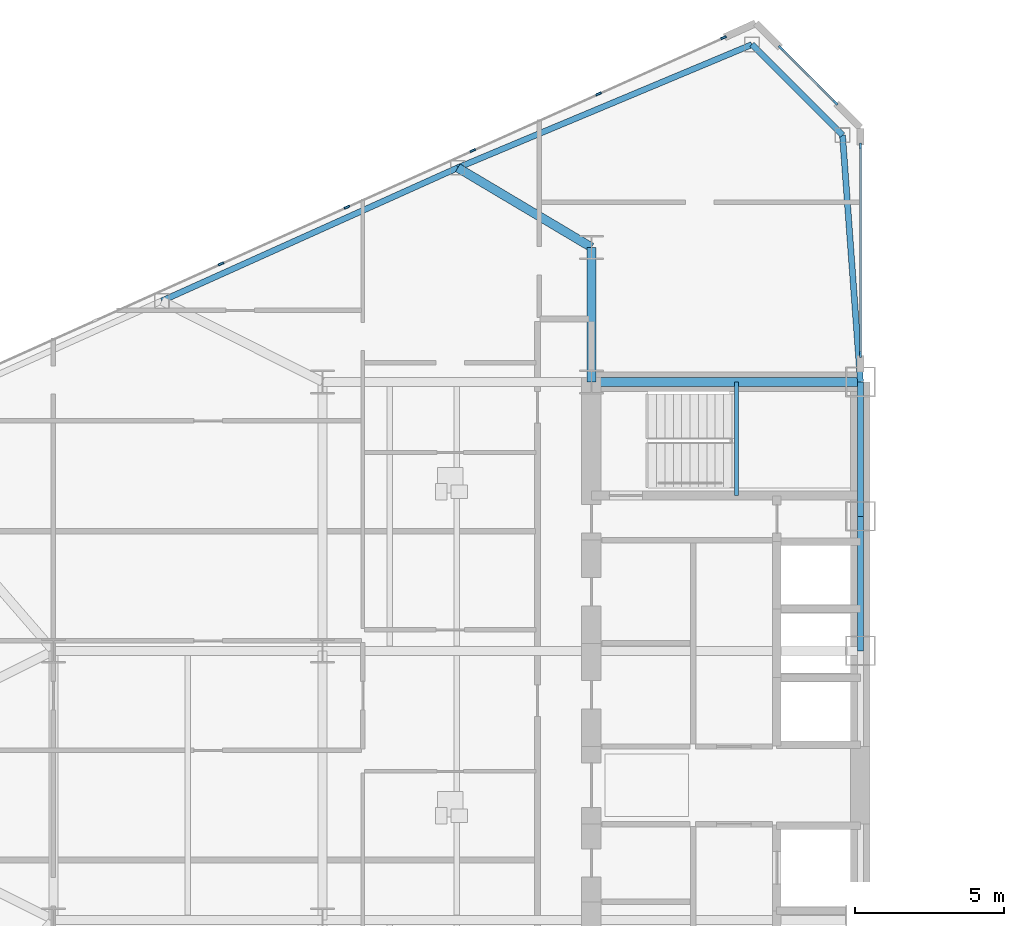
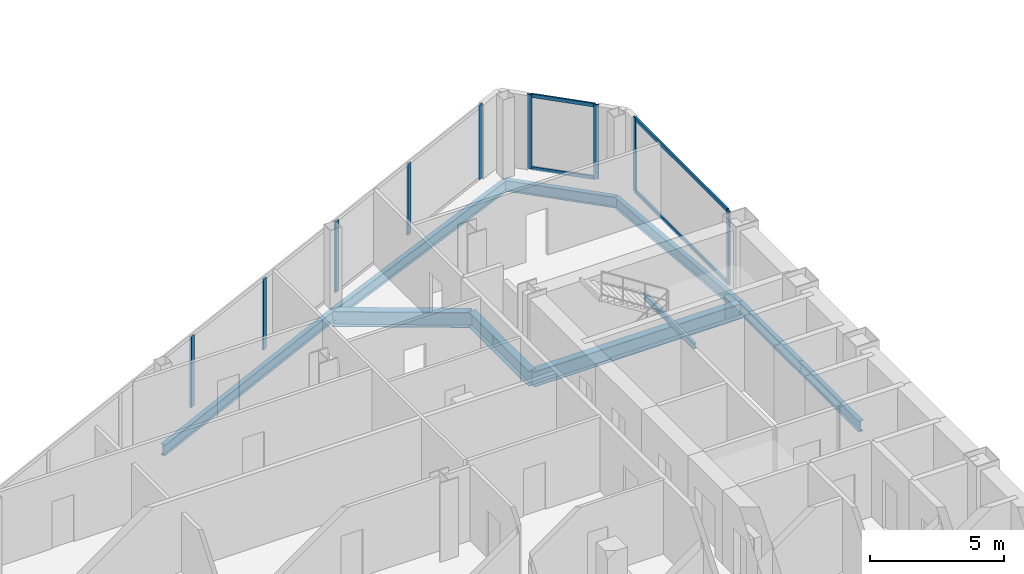
# One storey, part 9 of 27: 13 members, 10 beams, 3 elements without a shape of their own.
"""IFC4 building model written with IfcOpenShell, lengths in metres."""

import ifcopenshell
import ifcopenshell.guid

model = None  # the IFC model being written
_history = None  # IfcOwnerHistory: only IFC2X3 demands one
_inside = {}  # id of a spatial element -> (the spatial element, [elements in it])
_under = {}  # id of a project, library or spatial element -> (it, [spatial elements below it])
_declared = {}  # id of a project -> (the project, [libraries it declares])
_typed = {}  # id of a type object -> (the type object, [elements of that type])
_made_of = {}  # id of a material, layer set ... -> (it, [elements and type objects made of it])


def new_model(schema):
    """Start an empty IFC model of exactly this schema.

    Asked for "IFC4X3", IfcOpenShell would pick the latest addendum, in which some entities
    have other attributes; the version numbers below select the first issue.
    IFC2X3 requires an IfcOwnerHistory on every rooted entity: one is made here for all.
    """
    global model, _history
    if schema == "IFC4X3":
        model = ifcopenshell.file(schema_version=(4, 3, 0, 0))
    else:
        model = ifcopenshell.file(schema=schema)
    _inside.clear()
    _under.clear()
    _declared.clear()
    _typed.clear()
    _made_of.clear()
    _history = None
    if model.schema == "IFC2X3":
        org = make("IfcOrganization", Name="unknown")
        user = make(
            "IfcPersonAndOrganization",
            ThePerson=make("IfcPerson", FamilyName="unknown"),
            TheOrganization=org,
        )
        app = make(
            "IfcApplication",
            ApplicationDeveloper=org,
            Version="unknown",
            ApplicationFullName="unknown",
            ApplicationIdentifier="unknown",
        )
        _history = make(
            "IfcOwnerHistory",
            OwningUser=user,
            OwningApplication=app,
            ChangeAction="ADDED",
            CreationDate=0,
        )
    return model


def make(cls, **values):
    """One entity of the class cls with the attributes given. An attribute that is None is left unset."""
    return model.create_entity(
        cls, **{name: value for name, value in values.items() if value is not None}
    )


def rooted(cls, **values):
    """An entity with a GlobalId (a new one), such as an element, a storey or a relation."""
    return make(cls, GlobalId=ifcopenshell.guid.new(), OwnerHistory=_history, **values)


def si_unit(unit_type, name, prefix=None):
    """IfcSIUnit, for example si_unit("LENGTHUNIT", "METRE", prefix="MILLI")."""
    return make("IfcSIUnit", UnitType=unit_type, Prefix=prefix, Name=name)


def assignment(units):
    """IfcUnitAssignment: the units of a project."""
    return None if units is None else make("IfcUnitAssignment", Units=units)


def point(xyz):
    """IfcCartesianPoint."""
    return None if xyz is None else make("IfcCartesianPoint", Coordinates=xyz)


def direction(xyz):
    """IfcDirection."""
    return None if xyz is None else make("IfcDirection", DirectionRatios=xyz)


def frame(location, z_axis=None, x_axis=None):
    """IfcAxis2Placement3D, a coordinate frame: its origin and axes. An axis left out is left unset."""
    return make(
        "IfcAxis2Placement3D",
        Location=point(location),
        Axis=direction(z_axis),
        RefDirection=direction(x_axis),
    )


def frame_2d(location, x_axis=None):
    """IfcAxis2Placement2D, a coordinate frame in the plane: its origin and x axis."""
    return make(
        "IfcAxis2Placement2D", Location=point(location), RefDirection=direction(x_axis)
    )


def origin():
    """The frame at (0, 0, 0) with its axes left unset."""
    return frame((0.0, 0.0, 0.0))


def origin_2d():
    """The frame at (0, 0) in the plane with its x axis left unset."""
    return frame_2d((0.0, 0.0))


def place(relative_to, where):
    """IfcLocalPlacement: puts the frame where relative to a parent placement (None: the world)."""
    return make(
        "IfcLocalPlacement", PlacementRelTo=relative_to, RelativePlacement=where
    )


def context(
    kind, dimensions, precision=None, world=None, true_north=None, identifier=None
):
    """IfcGeometricRepresentationContext, for example the 3D "Model" context."""
    return make(
        "IfcGeometricRepresentationContext",
        ContextIdentifier=identifier,
        ContextType=kind,
        CoordinateSpaceDimension=dimensions,
        Precision=precision,
        WorldCoordinateSystem=world,
        TrueNorth=true_north,
    )


def subcontext(parent, identifier, kind, view, scale=None):
    """IfcGeometricRepresentationSubContext, for example "Body" below "Model"."""
    return make(
        "IfcGeometricRepresentationSubContext",
        ContextIdentifier=identifier,
        ContextType=kind,
        ParentContext=parent,
        TargetScale=scale,
        TargetView=view,
    )


def project(units=None, contexts=None):
    """IfcProject with its units and contexts."""
    return rooted(
        "IfcProject",
        Name="project",
        RepresentationContexts=contexts,
        UnitsInContext=assignment(units),
    )


def spatial(cls, under=None, at=None, **own):
    """A site, building, storey or space (cls), placed at a placement, below another one or the project."""
    s = rooted(cls, ObjectPlacement=at, **own)
    if under is not None:
        _under.setdefault(under.id(), (under, []))[1].append(s)
    return s


def profile(cls, at=None, kind="AREA", **sizes):
    """A parametric profile (cls). Its sizes go by their IFC names, for example OverallWidth=200.0."""
    return make(cls, ProfileType=kind, Position=at, **sizes)


def rectangle(**sizes):
    """IfcRectangleProfileDef."""
    return profile("IfcRectangleProfileDef", **sizes)


def i_section(**sizes):
    """IfcIShapeProfileDef."""
    return profile("IfcIShapeProfileDef", **sizes)


def extrude(swept, where, along, depth):
    """IfcExtrudedAreaSolid: the profile swept, set in the frame where, extruded along a direction by depth."""
    return make(
        "IfcExtrudedAreaSolid",
        SweptArea=swept,
        Position=where,
        ExtrudedDirection=direction(along),
        Depth=depth,
    )


def shape(context_of_items, identifier, shape_type, items):
    """IfcShapeRepresentation: the items that make up one representation, for example the "Body"."""
    return make(
        "IfcShapeRepresentation",
        ContextOfItems=context_of_items,
        RepresentationIdentifier=identifier,
        RepresentationType=shape_type,
        Items=items,
    )


def source(mapping_origin, context_of_items, identifier, shape_type, items):
    """IfcRepresentationMap: a shape defined once, which mapped items show again and again."""
    return make(
        "IfcRepresentationMap",
        MappingOrigin=mapping_origin,
        MappedRepresentation=shape(context_of_items, identifier, shape_type, items),
    )


def transform(
    local_origin,
    x_axis=None,
    y_axis=None,
    z_axis=None,
    scale=None,
    scale2=None,
    scale3=None,
    uniform=True,
):
    """IfcCartesianTransformationOperator3D, or its non-uniform kind. x_axis, y_axis, z_axis: its Axis1, 2, 3."""
    if uniform:
        return make(
            "IfcCartesianTransformationOperator3D",
            Axis1=direction(x_axis),
            Axis2=direction(y_axis),
            LocalOrigin=point(local_origin),
            Scale=scale,
            Axis3=direction(z_axis),
        )
    return make(
        "IfcCartesianTransformationOperator3DnonUniform",
        Axis1=direction(x_axis),
        Axis2=direction(y_axis),
        LocalOrigin=point(local_origin),
        Scale=scale,
        Axis3=direction(z_axis),
        Scale2=scale2,
        Scale3=scale3,
    )


def mapped(mapping_source, mapping_target):
    """IfcMappedItem: shows the shape of a source again, moved by a transform."""
    return make(
        "IfcMappedItem", MappingSource=mapping_source, MappingTarget=mapping_target
    )


def material(Name=None, Category=None):
    """IfcMaterial."""
    return make("IfcMaterial", Name=Name, Category=Category)


def layer(
    of_material, thickness, ventilated=None, Name=None, Category=None, Priority=None
):
    """IfcMaterialLayer: one layer of a wall or slab, of a material (None: an air gap)."""
    return make(
        "IfcMaterialLayer",
        Material=of_material,
        LayerThickness=thickness,
        IsVentilated=ventilated,
        Name=Name,
        Category=Category,
        Priority=Priority,
    )


def layer_set(layers, Name=None):
    """IfcMaterialLayerSet."""
    return make("IfcMaterialLayerSet", MaterialLayers=layers, LayerSetName=Name)


def material_profile(
    of_material, cross_section, Name=None, Category=None, Priority=None
):
    """IfcMaterialProfile: a cross section and its material."""
    return make(
        "IfcMaterialProfile",
        Name=Name,
        Material=of_material,
        Profile=cross_section,
        Priority=Priority,
        Category=Category,
    )


def profile_set(profiles, Name=None, composite=None):
    """IfcMaterialProfileSet."""
    return make(
        "IfcMaterialProfileSet",
        Name=Name,
        MaterialProfiles=profiles,
        CompositeProfile=composite,
    )


def made_of(thing, what):
    """Note that an element or type object is made of a material, layer set ...; save() writes the relation."""
    if what is not None:
        _made_of.setdefault(what.id(), (what, []))[1].append(thing)
    return thing


def type_object(cls, material=None, **own):
    """A type object (cls), such as IfcWallType, which elements share."""
    return made_of(rooted(cls, **own), material)


def type_shapes(of_type, sources):
    """Give a type object the sources (RepresentationMaps) that its elements show as mapped items."""
    of_type.RepresentationMaps = sources


def element(
    cls,
    number,
    at=None,
    inside=None,
    cuts=None,
    type_object=None,
    material=None,
    context=None,
    identifier="Body",
    shape_type=None,
    held_by="IfcProductDefinitionShape",
    body=None,
    shapes=None,
    **own,
):
    """One element of the class cls, such as IfcWall. Its Tag is "e" and its number.

    at: its placement. inside: the storey or other place that contains it. cuts: it is an
    opening in that element (IfcRelVoidsElement). A single representation is given by context,
    identifier, shape_type and body (its items); several are given by shapes. held_by: the class
    of the entity that holds the representations. save() writes the other relations.
    """
    e = rooted(cls, Tag="e%d" % number, ObjectPlacement=at, **own)
    if body is not None:
        shapes = [shape(context, identifier, shape_type, body)]
    if shapes is not None:
        e.Representation = make(held_by, Representations=shapes)
    if inside is not None:
        _inside.setdefault(inside.id(), (inside, []))[1].append(e)
    if cuts is not None:
        rooted(
            "IfcRelVoidsElement", RelatingBuildingElement=cuts, RelatedOpeningElement=e
        )
    if type_object is not None:
        _typed.setdefault(type_object.id(), (type_object, []))[1].append(e)
    return made_of(e, material)


def aggregate(whole, parts):
    """IfcRelAggregates: a whole, such as a stair, and the parts it consists of."""
    return rooted("IfcRelAggregates", RelatingObject=whole, RelatedObjects=parts)


def save(model, path):
    """Write the relations noted so far, then the file.

    IfcRelAggregates (storeys below a building ...), IfcRelContainedInSpatialStructure (elements
    in a storey), IfcRelDefinesByType, IfcRelAssociatesMaterial and IfcRelDeclares: one each for
    every whole, place, type object, material and project.
    """
    for whole, parts in _under.values():
        aggregate(whole, parts)
    for where, things in _inside.values():
        rooted(
            "IfcRelContainedInSpatialStructure",
            RelatedElements=things,
            RelatingStructure=where,
        )
    for kind, things in _typed.values():
        rooted("IfcRelDefinesByType", RelatedObjects=things, RelatingType=kind)
    for what, things in _made_of.values():
        rooted("IfcRelAssociatesMaterial", RelatedObjects=things, RelatingMaterial=what)
    for by, libraries in _declared.values():
        rooted("IfcRelDeclares", RelatingContext=by, RelatedDefinitions=libraries)
    model.write(path)


model = new_model("IFC4")

# Units and contexts
model_context = context("Model", 3, precision=1e-05, world=origin(), true_north=direction((0.0, 1.0)))
body_context = subcontext(model_context, "Body", "Model", "MODEL_VIEW")
ifc_project = project(units=[si_unit("LENGTHUNIT", "METRE"), si_unit("AREAUNIT", "SQUARE_METRE"), si_unit("VOLUMEUNIT", "CUBIC_METRE"), si_unit("PLANEANGLEUNIT", "RADIAN"), si_unit("MASSUNIT", "GRAM", prefix="KILO")], contexts=[model_context])

# Site, building, storey
site_placement = place(None, origin())
site = spatial("IfcSite", under=ifc_project, at=site_placement, CompositionType="ELEMENT")
building_placement = place(site_placement, origin())
building = spatial("IfcBuilding", under=site, at=building_placement, Name="Seokmaru Belvedere", CompositionType="ELEMENT")
storey_placement = place(building_placement, frame((0.0, 0.0, 96.0)))
storey = spatial("IfcBuildingStorey", under=building, at=storey_placement, Name="L25", CompositionType="ELEMENT", Elevation=96.0)

# Beams
ifc_material_1 = material(Name="Steel SM355 (355 MPa)", Category="steel")
ifc_material_profile_1 = material_profile(ifc_material_1, i_section(OverallWidth=0.199951171875, OverallDepth=0.5, WebThickness=0.010009765625, FlangeThickness=0.01611328125, at=origin_2d()), Name="H-500x200x10x16")
ifc_profile_set_1 = profile_set([ifc_material_profile_1], Name="Steel SM355 (355 MPa)")
beam_type_1 = type_object("IfcBeamType", Name="Perimeter Spandrel Beam H-500", PredefinedType="SPANDREL", material=ifc_profile_set_1)
shared_shape_1 = source(origin(), body_context, "Body", "SweptSolid", [
    extrude(i_section(OverallWidth=0.199951171875, OverallDepth=0.5, WebThickness=0.010009765625, FlangeThickness=0.01611328125, at=origin_2d()), origin(), (0.0, 0.0, 1.0), 4.5),
])
for number, where, z_axis, x_axis, name in (
    (1, (-27.5, 4.5, -0.469970703125), (0.0, 1.0, 0.0), (-1.0, 0.0, 0.0), "L25 W Portal Spine Spandrel 4"),
    (2, (-27.5, 9.0, -0.469970703125), (0.0, 1.0, 0.0), (-1.0, 0.0, 0.0), "L25 W Portal Spine Spandrel 5"),
):
    element("IfcBeam", number, at=place(storey_placement, frame(where, z_axis=z_axis, x_axis=x_axis)), inside=storey, type_object=beam_type_1, Name=name, PredefinedType="SPANDREL", context=body_context, shape_type="MappedRepresentation", body=[
        mapped(shared_shape_1, transform((0.0, 0.0, 0.0), scale=1.0)),
    ])
ifc_material_profile_2 = material_profile(ifc_material_1, i_section(OverallWidth=0.300048828125, OverallDepth=0.699951171875, WebThickness=0.012939453125, FlangeThickness=0.02392578125, at=origin_2d()), Name="H-700x300x13x24")
ifc_profile_set_2 = profile_set([ifc_material_profile_2], Name="Steel SM355 (355 MPa)")
beam_type_2 = type_object("IfcBeamType", Name="Primary Floor Girder H-700", PredefinedType="BEAM", material=ifc_profile_set_2)
shared_shape_2 = source(origin(), body_context, "Body", "SweptSolid", [
    extrude(i_section(OverallWidth=0.300048828125, OverallDepth=0.699951171875, WebThickness=0.012939453125, FlangeThickness=0.02392578125, at=origin_2d()), origin(), (0.0, 0.0, 1.0), 4.5),
])
beam_1_placement = place(storey_placement, frame((-36.5, 13.5, -0.570068359375), z_axis=(0.0, 1.0, 0.0), x_axis=(-1.0, 0.0, 0.0)))
element("IfcBeam", 3, at=beam_1_placement, inside=storey, type_object=beam_type_2, Name="L25 W Core Shoulder Girder N", PredefinedType="BEAM", context=body_context, shape_type="MappedRepresentation", body=[
    mapped(shared_shape_2, transform((0.0, 0.0, 0.0), scale=1.0)),
])
shared_shape_3 = source(origin(), body_context, "Body", "SweptSolid", [
    extrude(i_section(OverallWidth=0.300048828125, OverallDepth=0.699951171875, WebThickness=0.012939453125, FlangeThickness=0.02392578125, at=origin_2d()), origin(), (0.0, 0.0, 1.0), 9.0),
])
beam_2_placement = place(storey_placement, frame((-36.5, 13.5, -0.570068359375), z_axis=(1.0, 0.0, 0.0), x_axis=(0.0, 1.0, 0.0)))
element("IfcBeam", 4, at=beam_2_placement, inside=storey, type_object=beam_type_2, Name="L25 W Core Tie Girder 4", PredefinedType="BEAM", context=body_context, shape_type="MappedRepresentation", body=[
    mapped(shared_shape_3, transform((0.0, 0.0, 0.0), scale=1.0)),
])
shared_shape_4 = source(origin(), body_context, "Body", "SweptSolid", [
    extrude(i_section(OverallWidth=0.199951171875, OverallDepth=0.5, WebThickness=0.010009765625, FlangeThickness=0.01611328125, at=origin_2d()), origin(), (0.0, 0.0, 1.0), 10.66943359375),
])
beam_3_placement = place(storey_placement, frame((-31.13134765625, 24.782958984375, -0.469970703125), z_axis=(-0.922375393128, -0.386294750355, 0.0), x_axis=(0.386294750355, -0.922375393128, 0.0)))
element("IfcBeam", 5, at=beam_3_placement, inside=storey, type_object=beam_type_1, Name="L25 W Faceted Flank Spandrel N-1", PredefinedType="SPANDREL", context=body_context, shape_type="MappedRepresentation", body=[
    mapped(shared_shape_4, transform((0.0, 0.0, 0.0), scale=1.0)),
])
shared_shape_5 = source(origin(), body_context, "Body", "SweptSolid", [
    extrude(i_section(OverallWidth=0.199951171875, OverallDepth=0.5, WebThickness=0.010009765625, FlangeThickness=0.01611328125, at=origin_2d()), origin(), (0.0, 0.0, 1.0), 10.85888671875),
])
beam_4_placement = place(storey_placement, frame((-40.97265625, 20.661376953125, -0.469970703125), z_axis=(-0.911921505175, -0.410364677329, 0.0), x_axis=(0.410364677329, -0.911921505175, 0.0)))
element("IfcBeam", 6, at=beam_4_placement, inside=storey, type_object=beam_type_1, Name="L25 W Faceted Flank Spandrel N-2", PredefinedType="SPANDREL", context=body_context, shape_type="MappedRepresentation", body=[
    mapped(shared_shape_5, transform((0.0, 0.0, 0.0), scale=1.0)),
])
shared_shape_6 = source(origin(), body_context, "Body", "SweptSolid", [
    extrude(i_section(OverallWidth=0.199951171875, OverallDepth=0.5, WebThickness=0.010009765625, FlangeThickness=0.01611328125, at=origin_2d()), origin(), (0.0, 0.0, 1.0), 4.287109375),
])
beam_5_placement = place(storey_placement, frame((-31.13134765625, 24.782958984375, -0.469970703125), z_axis=(0.707078306132, -0.707135255094, 0.0), x_axis=(0.707135255094, 0.707078306132, 0.0)))
element("IfcBeam", 7, at=beam_5_placement, inside=storey, type_object=beam_type_1, Name="L25 W Shoulder Chamfer Spandrel N", PredefinedType="SPANDREL", context=body_context, shape_type="MappedRepresentation", body=[
    mapped(shared_shape_6, transform((0.0, 0.0, 0.0), scale=1.0)),
])
shared_shape_7 = source(origin(), body_context, "Body", "SweptSolid", [
    extrude(i_section(OverallWidth=0.199951171875, OverallDepth=0.5, WebThickness=0.010009765625, FlangeThickness=0.01611328125, at=origin_2d()), origin(), (0.0, 0.0, 1.0), 8.273193359375),
])
type_shapes(beam_type_1, [shared_shape_1, shared_shape_4, shared_shape_5, shared_shape_6, shared_shape_7])
beam_6_placement = place(storey_placement, frame((-28.10009765625, 21.75146484375, -0.469970703125), z_axis=(0.072534628348, -0.99736589459, 0.0), x_axis=(0.99736589459, 0.072534628348, 0.0)))
element("IfcBeam", 8, at=beam_6_placement, inside=storey, type_object=beam_type_1, Name="L25 W Shoulder Spine Spandrel N", PredefinedType="SPANDREL", context=body_context, shape_type="MappedRepresentation", body=[
    mapped(shared_shape_7, transform((0.0, 0.0, 0.0), scale=1.0)),
])
shared_shape_8 = source(origin(), body_context, "Body", "SweptSolid", [
    extrude(i_section(OverallWidth=0.300048828125, OverallDepth=0.699951171875, WebThickness=0.012939453125, FlangeThickness=0.02392578125, at=origin_2d()), origin(), (0.0, 0.0, 1.0), 5.20458984375),
])
type_shapes(beam_type_2, [shared_shape_2, shared_shape_3, shared_shape_8])
beam_7_placement = place(storey_placement, frame((-40.97265625, 20.661376953125, -0.570068359375), z_axis=(0.859370434188, -0.511353553662, 0.0), x_axis=(0.511353553662, 0.859370434188, 0.0)))
element("IfcBeam", 9, at=beam_7_placement, inside=storey, type_object=beam_type_2, Name="L25 W Flank Radial Floor Girder N-1", PredefinedType="BEAM", context=body_context, shape_type="MappedRepresentation", body=[
    mapped(shared_shape_8, transform((0.0, 0.0, 0.0), scale=1.0)),
])

# Curtain wall, members
ifc_material_2 = material(Name="Bronze Triple Insulating Glass", Category="glass")
ifc_layer = layer(ifc_material_2, 0.195068359375)
ifc_layer_set = layer_set([ifc_layer], Name="Bronze Triple Insulating Glass")
curtain_wall_type = type_object("IfcCurtainWallType", Name="Lower-Mid Tapered Curtain Wall System CW-3", PredefinedType="NOTDEFINED", material=ifc_layer_set)
curtain_wall_1_placement = place(storey_placement, origin())
curtain_wall_1 = element("IfcCurtainWall", 10, at=curtain_wall_1_placement, inside=storey, type_object=curtain_wall_type, Name="L25 Curtain Wall WSP_2", PredefinedType="NOTDEFINED")
ifc_material_3 = material(Name="Anodised Bronze Aluminium", Category="aluminium")
ifc_material_profile_3 = material_profile(ifc_material_3, rectangle(XDim=0.070068359375, YDim=0.195068359375, at=origin_2d()), Name="CW-M-70x195")
ifc_profile_set_3 = profile_set([ifc_material_profile_3], Name="Anodised Bronze Aluminium")
member_type_1 = type_object("IfcMemberType", Name="Bronze Unitised Mullion 70x195", PredefinedType="MULLION", material=ifc_profile_set_3)
shared_shape_9 = source(origin(), body_context, "Body", "SweptSolid", [
    extrude(rectangle(XDim=0.070068359375, YDim=0.195068359375, at=origin_2d()), origin(), (0.0, 0.0, 1.0), 3.3798828125),
])
member_1_placement = place(storey_placement, frame((-27.5, 14.4150390625, 0.0), z_axis=(0.0, 0.0, 1.0), x_axis=(-1.0, 0.0, 0.0)))
member_1 = element("IfcMember", 11, at=member_1_placement, type_object=member_type_1, Name="CW:L25:WSP_2 Mullion 1", PredefinedType="MULLION", context=body_context, shape_type="MappedRepresentation", body=[
    mapped(shared_shape_9, transform((0.0, 0.0, 0.0), scale=1.0)),
])
member_2_placement = place(storey_placement, frame((-27.5, 21.39501953125, 0.0), z_axis=(0.0, 0.0, 1.0), x_axis=(-1.0, 0.0, 0.0)))
member_2 = element("IfcMember", 12, at=member_2_placement, type_object=member_type_1, Name="CW:L25:WSP_2 Mullion 2", PredefinedType="MULLION", context=body_context, shape_type="MappedRepresentation", body=[
    mapped(shared_shape_9, transform((0.0, 0.0, 0.0), scale=1.0)),
])

curtain_wall_2_placement = place(storey_placement, origin())
curtain_wall_2 = element("IfcCurtainWall", 13, at=curtain_wall_2_placement, inside=storey, type_object=curtain_wall_type, Name="L25 Curtain Wall WF2", PredefinedType="NOTDEFINED")
member_3_placement = place(storey_placement, frame((-28.337890625, 22.837890625, 0.0), z_axis=(0.0, 0.0, 1.0), x_axis=(-0.707106781187, -0.707106781187, 0.0)))
member_3 = element("IfcMember", 14, at=member_3_placement, type_object=member_type_1, Name="CW:L25:WF2 Mullion 1", PredefinedType="MULLION", context=body_context, shape_type="MappedRepresentation", body=[
    mapped(shared_shape_9, transform((0.0, 0.0, 0.0), scale=1.0)),
])
member_4_placement = place(storey_placement, frame((-30.162109375, 24.662109375, 0.0), z_axis=(0.0, 0.0, 1.0), x_axis=(-0.707106781187, -0.707106781187, 0.0)))
member_4 = element("IfcMember", 15, at=member_4_placement, type_object=member_type_1, Name="CW:L25:WF2 Mullion 2", PredefinedType="MULLION", context=body_context, shape_type="MappedRepresentation", body=[
    mapped(shared_shape_9, transform((0.0, 0.0, 0.0), scale=1.0)),
])

# Curtain wall, member
curtain_wall_3_placement = place(storey_placement, origin())
curtain_wall_3 = element("IfcCurtainWall", 16, at=curtain_wall_3_placement, inside=storey, type_object=curtain_wall_type, Name="L25 Curtain Wall WF3", PredefinedType="NOTDEFINED")
member_5_placement = place(storey_placement, frame((-32.08056640625, 25.013671875, 0.0), z_axis=(0.0, 0.0, 1.0), x_axis=(0.41036554765, -0.91192111353, 0.0)))
member_5 = element("IfcMember", 17, at=member_5_placement, type_object=member_type_1, Name="CW:L25:WF3 Mullion 1", PredefinedType="MULLION", context=body_context, shape_type="MappedRepresentation", body=[
    mapped(shared_shape_9, transform((0.0, 0.0, 0.0), scale=1.0)),
])

# Member
ifc_material_profile_4 = material_profile(ifc_material_3, rectangle(XDim=0.070068359375, YDim=0.1650390625, at=origin_2d()), Name="CW-T-70x165")
ifc_profile_set_4 = profile_set([ifc_material_profile_4], Name="Anodised Bronze Aluminium")
member_type_2 = type_object("IfcMemberType", Name="Bronze Unitised Transom 70x165", PredefinedType="USERDEFINED", material=ifc_profile_set_4)
shared_shape_10 = source(origin(), body_context, "Body", "SweptSolid", [
    extrude(rectangle(XDim=0.070068359375, YDim=0.1650390625, at=origin_2d()), origin(), (0.0, 0.0, 1.0), 6.91015625),
])
member_6_placement = place(storey_placement, frame((-27.5, 14.449951171875, 0.034912109375), z_axis=(0.0, 1.0, 0.0), x_axis=(-1.0, 0.0, 0.0)))
member_6 = element("IfcMember", 18, at=member_6_placement, type_object=member_type_2, Name="CW:L25:WSP_2 Continuous Transom 1", ObjectType="TRANSOM", PredefinedType="USERDEFINED", context=body_context, shape_type="MappedRepresentation", body=[
    mapped(shared_shape_10, transform((0.0, 0.0, 0.0), scale=1.0)),
])

member_7_placement = place(storey_placement, frame((-27.5, 14.449951171875, 3.344970703125), z_axis=(0.0, 1.0, 0.0), x_axis=(-1.0, 0.0, 0.0)))
member_7 = element("IfcMember", 19, at=member_7_placement, type_object=member_type_2, Name="CW:L25:WSP_2 Continuous Transom 2", ObjectType="TRANSOM", PredefinedType="USERDEFINED", context=body_context, shape_type="MappedRepresentation", body=[
    mapped(shared_shape_10, transform((0.0, 0.0, 0.0), scale=1.0)),
])

aggregate(curtain_wall_1, [member_1, member_2, member_6, member_7])

shared_shape_11 = source(origin(), body_context, "Body", "SweptSolid", [
    extrude(rectangle(XDim=0.070068359375, YDim=0.1650390625, at=origin_2d()), origin(), (0.0, 0.0, 1.0), 2.509521484375),
])
type_shapes(member_type_2, [shared_shape_10, shared_shape_11])
member_8_placement = place(storey_placement, frame((-28.36279296875, 22.86279296875, 0.034912109375), z_axis=(-0.707106781187, 0.707106781187, 0.0), x_axis=(-0.707106781187, -0.707106781187, 0.0)))
member_8 = element("IfcMember", 20, at=member_8_placement, type_object=member_type_2, Name="CW:L25:WF2 Continuous Transom 1", ObjectType="TRANSOM", PredefinedType="USERDEFINED", context=body_context, shape_type="MappedRepresentation", body=[
    mapped(shared_shape_11, transform((0.0, 0.0, 0.0), scale=1.0)),
])

member_9_placement = place(storey_placement, frame((-28.36279296875, 22.86279296875, 3.344970703125), z_axis=(-0.707106781187, 0.707106781187, 0.0), x_axis=(-0.707106781187, -0.707106781187, 0.0)))
member_9 = element("IfcMember", 21, at=member_9_placement, type_object=member_type_2, Name="CW:L25:WF2 Continuous Transom 2", ObjectType="TRANSOM", PredefinedType="USERDEFINED", context=body_context, shape_type="MappedRepresentation", body=[
    mapped(shared_shape_11, transform((0.0, 0.0, 0.0), scale=1.0)),
])

aggregate(curtain_wall_2, [member_3, member_4, member_8, member_9])

shared_shape_12 = source(origin(), body_context, "Body", "SweptSolid", [
    extrude(rectangle(XDim=0.070068359375, YDim=0.195068359375, at=origin_2d()), origin(), (0.0, 0.0, 1.0), 3.239990234375),
])
type_shapes(member_type_1, [shared_shape_9, shared_shape_12])
member_10_placement = place(storey_placement, frame((-36.260009765625, 23.133056640625, 0.070068359375), z_axis=(0.0, 0.0, 1.0), x_axis=(0.41036554765, -0.91192111353, 0.0)))
member_10 = element("IfcMember", 22, at=member_10_placement, type_object=member_type_1, Name="CW:L25:WF3 Mullion 2", PredefinedType="MULLION", context=body_context, shape_type="MappedRepresentation", body=[
    mapped(shared_shape_12, transform((0.0, 0.0, 0.0), scale=1.0)),
])

member_11_placement = place(storey_placement, frame((-40.471435546875, 21.23779296875, 0.070068359375), z_axis=(0.0, 0.0, 1.0), x_axis=(0.41036554765, -0.91192111353, 0.0)))
member_11 = element("IfcMember", 23, at=member_11_placement, type_object=member_type_1, Name="CW:L25:WF3 Mullion 3", PredefinedType="MULLION", context=body_context, shape_type="MappedRepresentation", body=[
    mapped(shared_shape_12, transform((0.0, 0.0, 0.0), scale=1.0)),
])

member_12_placement = place(storey_placement, frame((-44.682861328125, 19.3427734375, 0.070068359375), z_axis=(0.0, 0.0, 1.0), x_axis=(0.41036554765, -0.91192111353, 0.0)))
member_12 = element("IfcMember", 24, at=member_12_placement, type_object=member_type_1, Name="CW:L25:WF3 Mullion 4", PredefinedType="MULLION", context=body_context, shape_type="MappedRepresentation", body=[
    mapped(shared_shape_12, transform((0.0, 0.0, 0.0), scale=1.0)),
])

member_13_placement = place(storey_placement, frame((-48.894287109375, 17.447509765625, 0.070068359375), z_axis=(0.0, 0.0, 1.0), x_axis=(0.41036554765, -0.91192111353, 0.0)))
member_13 = element("IfcMember", 25, at=member_13_placement, type_object=member_type_1, Name="CW:L25:WF3 Mullion 5", PredefinedType="MULLION", context=body_context, shape_type="MappedRepresentation", body=[
    mapped(shared_shape_12, transform((0.0, 0.0, 0.0), scale=1.0)),
])

aggregate(curtain_wall_3, [member_5, member_10, member_11, member_12, member_13])

# Beam
ifc_material_profile_5 = material_profile(ifc_material_1, i_section(OverallWidth=0.125, OverallDepth=0.25, WebThickness=0.006103515625, FlangeThickness=0.009033203125, at=origin_2d()), Name="H-250x125x6x9")
ifc_profile_set_5 = profile_set([ifc_material_profile_5], Name="Steel SM355 (355 MPa)")
beam_type_3 = type_object("IfcBeamType", Name="Stair Mid-Landing Support Beam H-250", PredefinedType="JOIST", material=ifc_profile_set_5)
shared_shape_13 = source(origin(), body_context, "Body", "SweptSolid", [
    extrude(i_section(OverallWidth=0.125, OverallDepth=0.25, WebThickness=0.006103515625, FlangeThickness=0.009033203125, at=origin_2d()), origin(), (0.0, 0.0, 1.0), 3.800048828125),
])
type_shapes(beam_type_3, [shared_shape_13])
beam_8_placement = place(storey_placement, frame((-31.64990234375, 9.699951171875, 1.47509765625), z_axis=(0.0, 1.0, 0.0), x_axis=(-1.0, 0.0, 0.0)))
element("IfcBeam", 26, at=beam_8_placement, inside=storey, type_object=beam_type_3, Name="L25 Stair ST-W2 Mid-Landing Support Beam 1", PredefinedType="JOIST", context=body_context, shape_type="MappedRepresentation", body=[
    mapped(shared_shape_13, transform((0.0, 0.0, 0.0), scale=1.0)),
])

save(model, "model.ifc")
